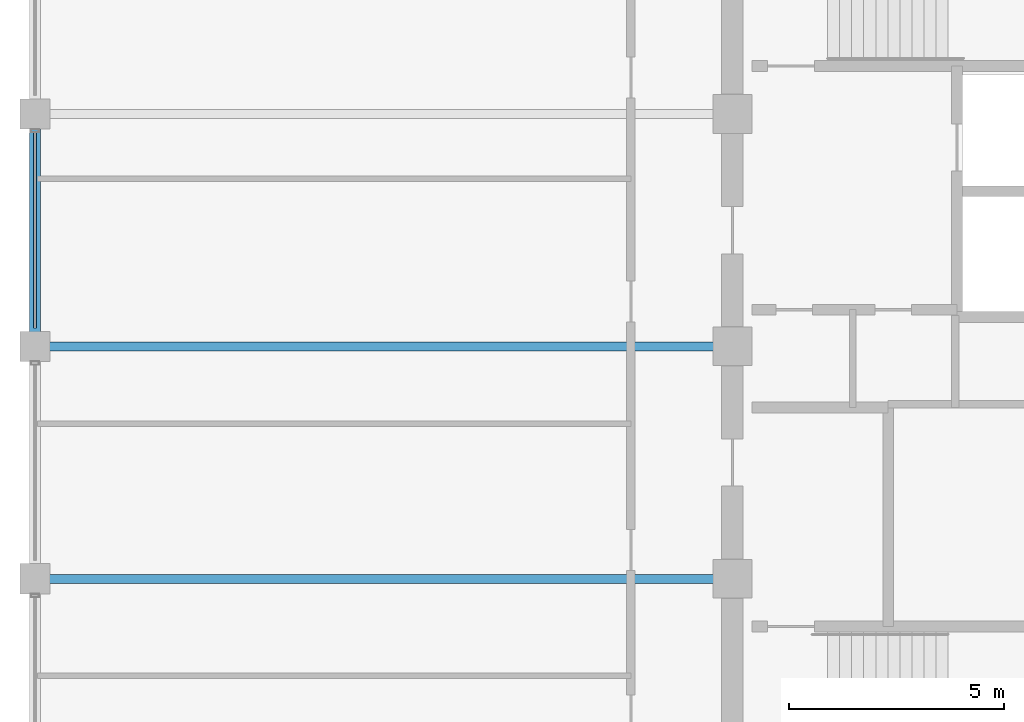
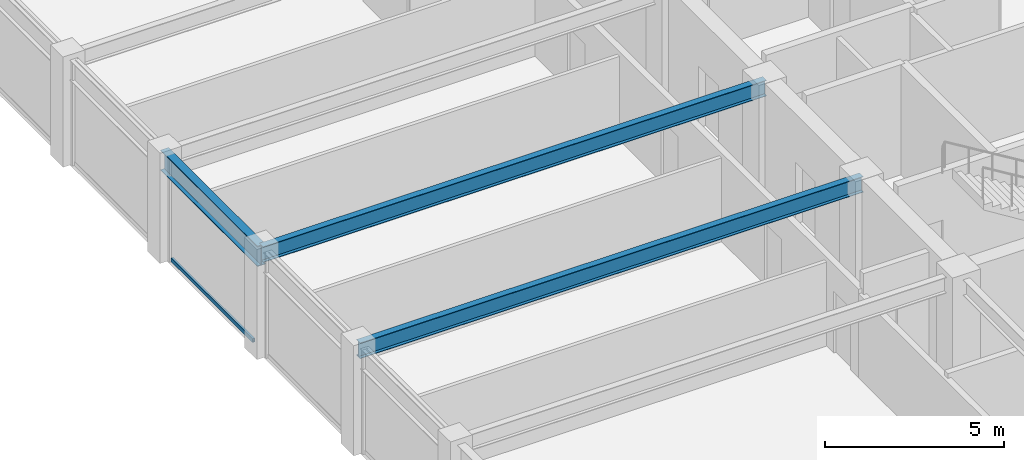
# One storey, part 9 of 31: 3 beams, 1 member, 1 element without a shape of its own.
"""IFC4 building model written with IfcOpenShell, lengths in metres."""

from ifc_helpers import new_model, si_unit, direction, frame, origin, origin_2d, place, context, subcontext, project, spatial, hollow_rectangle, i_section, extrude, material, layer, layer_set, material_profile, profile_set, type_object, element, aggregate, save


model = new_model("IFC4")

# Units and contexts
model_context = context("Model", 3, precision=1e-05, world=origin(), true_north=direction((0.0, 1.0)))
body_context = subcontext(model_context, "Body", "Model", "MODEL_VIEW")
ifc_project = project(units=[si_unit("LENGTHUNIT", "METRE"), si_unit("AREAUNIT", "SQUARE_METRE"), si_unit("VOLUMEUNIT", "CUBIC_METRE"), si_unit("PLANEANGLEUNIT", "RADIAN"), si_unit("MASSUNIT", "GRAM", prefix="KILO")], contexts=[model_context])

# Site, building, storey
site_placement = place(None, origin())
site = spatial("IfcSite", under=ifc_project, at=site_placement, CompositionType="ELEMENT")
building_placement = place(site_placement, origin())
building = spatial("IfcBuilding", under=site, at=building_placement, Name="Surkhivell Harbour Commons", CompositionType="ELEMENT")
storey_placement = place(building_placement, frame((0.0, 0.0, 288.75)))
storey = spatial("IfcBuildingStorey", under=building, at=storey_placement, Name="L75", CompositionType="ELEMENT", Elevation=288.75)

# Beams
ifc_material_1 = material(Name="Steel S355", Category="steel")
ifc_material_profile_1 = material_profile(ifc_material_1, i_section(OverallWidth=0.2099609375, OverallDepth=0.537109375, WebThickness=0.0107421875, FlangeThickness=0.017333984375, at=origin_2d()), Name="UB533x210x101")
ifc_profile_set_1 = profile_set([ifc_material_profile_1], Name="Steel S355")
beam_type_1 = type_object("IfcBeamType", Name="BM-GRD-533B", PredefinedType="BEAM", material=ifc_profile_set_1)
for number, where, z_axis, x_axis, name in (
    (1, (-27.0, -5.39990234375, 3.301513671875), (1.0, 0.0, 0.0), (0.0, 1.0, 0.0), "L75 Floor Girder (-27.0,-5.4)"),
    (2, (-27.0, 0.0, 3.301513671875), (1.0, 0.0, 0.0), (0.0, 1.0, 0.0), "L75 Floor Girder (-27.0,0.0)"),
):
    element("IfcBeam", number, at=place(storey_placement, frame(where, z_axis=z_axis, x_axis=x_axis)), inside=storey, type_object=beam_type_1, Name=name, PredefinedType="BEAM", context=body_context, shape_type="SweptSolid", body=[
        extrude(i_section(OverallWidth=0.2099609375, OverallDepth=0.537109375, WebThickness=0.0107421875, FlangeThickness=0.017333984375, at=origin_2d()), origin(), (0.0, 0.0, 1.0), 16.199951171875),
    ])
ifc_material_profile_2 = material_profile(ifc_material_1, i_section(OverallWidth=0.256103515625, OverallDepth=0.693115234375, WebThickness=0.014404296875, FlangeThickness=0.023681640625, at=origin_2d()), Name="UB686x254x170")
ifc_profile_set_2 = profile_set([ifc_material_profile_2], Name="Steel S355")
beam_type_2 = type_object("IfcBeamType", Name="BM-SPN-686", PredefinedType="SPANDREL", material=ifc_profile_set_2)
beam_placement = place(storey_placement, frame((-27.0, 0.0, 3.223388671875), z_axis=(0.0, 1.0, 0.0), x_axis=(-1.0, 0.0, 0.0)))
element("IfcBeam", 3, at=beam_placement, inside=storey, type_object=beam_type_2, Name="L75 Tube Spandrel (-27.0,0.0)", PredefinedType="SPANDREL", context=body_context, shape_type="SweptSolid", body=[
    extrude(i_section(OverallWidth=0.256103515625, OverallDepth=0.693115234375, WebThickness=0.014404296875, FlangeThickness=0.023681640625, at=origin_2d()), origin(), (0.0, 0.0, 1.0), 5.39990234375),
])

# Curtain wall, member
ifc_material_2 = material(Name="Anodised pale-metal aluminium and insulated glazing", Category="aluminium")
ifc_layer = layer(ifc_material_2, 0.175048828125)
ifc_layer_set = layer_set([ifc_layer], Name="Anodised pale-metal aluminium and insulated glazing")
curtain_wall_type = type_object("IfcCurtainWallType", Name="CW-SYS-Z4", PredefinedType="NOTDEFINED", material=ifc_layer_set)
curtain_wall_placement = place(storey_placement, origin())
curtain_wall = element("IfcCurtainWall", 4, at=curtain_wall_placement, inside=storey, type_object=curtain_wall_type, Name="L75 Curtain Wall CW-L75-E12S1", PredefinedType="NOTDEFINED")
ifc_material_3 = material(Name="Champagne anodised aluminium alloy 6063-T6", Category="aluminium")
ifc_material_profile_3 = material_profile(ifc_material_3, hollow_rectangle(XDim=0.070068359375, YDim=0.1298828125, WallThickness=0.00341796875, at=origin_2d()), Name="ALU-TRAN-70x130")
ifc_profile_set_3 = profile_set([ifc_material_profile_3], Name="Champagne anodised aluminium alloy 6063-T6")
member_type = type_object("IfcMemberType", Name="CWT-130", PredefinedType="USERDEFINED", material=ifc_profile_set_3)
member_placement = place(storey_placement, frame((-27.0, 4.972900390625, 0.06494140625), z_axis=(0.0, -1.0, 0.0), x_axis=(1.0, 0.0, 0.0)))
member = element("IfcMember", 5, at=member_placement, type_object=member_type, Name="CW-Z4 transom 4.1", ObjectType="TRANSOM", PredefinedType="USERDEFINED", context=body_context, shape_type="SweptSolid", body=[
    extrude(hollow_rectangle(XDim=0.070068359375, YDim=0.1298828125, WallThickness=0.00341796875, at=origin_2d()), origin(), (0.0, 0.0, 1.0), 4.5458984375),
])
aggregate(curtain_wall, [member])

save(model, "model.ifc")
